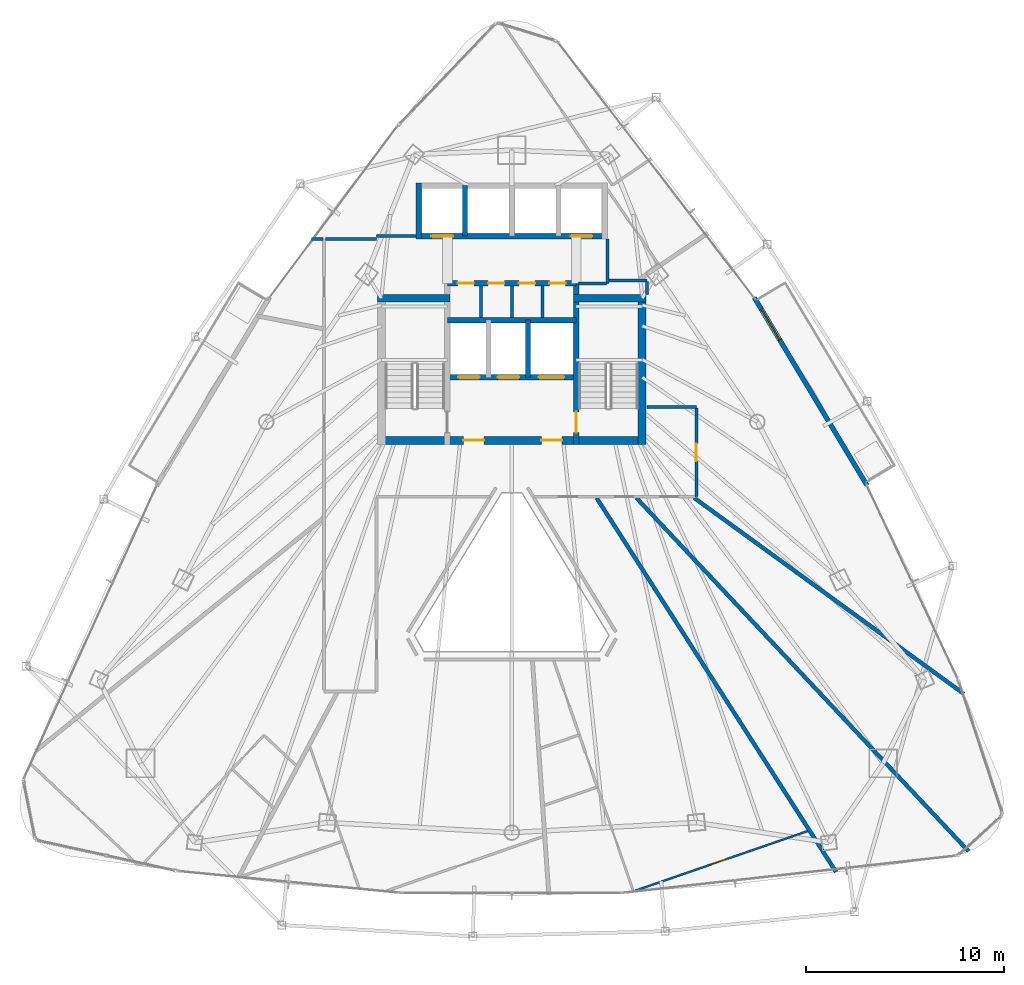
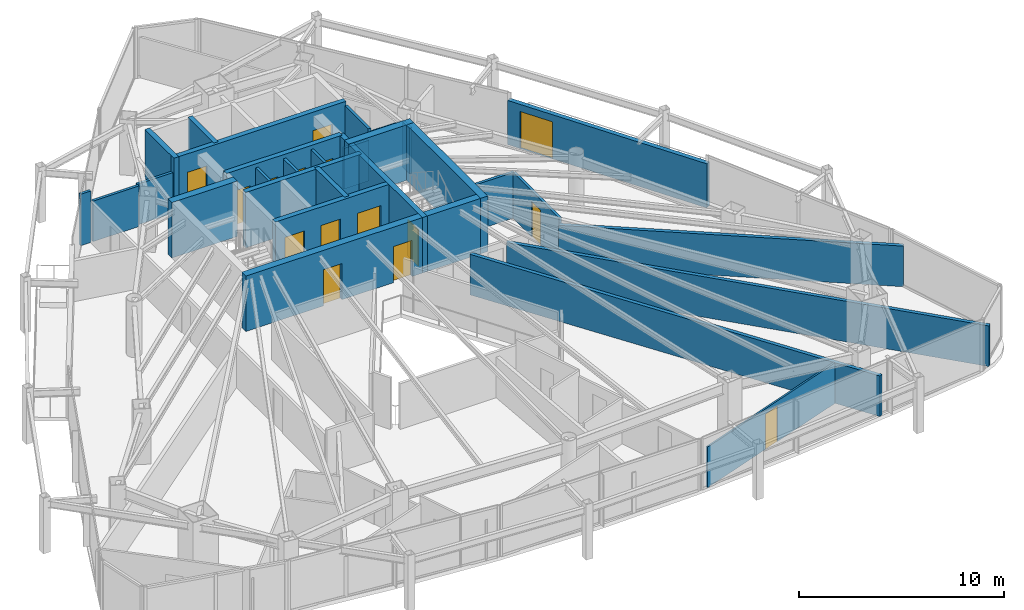
# One storey, part 25 of 29: 29 walls, 15 doors, 15 openings.
"""IFC4 building model written with IfcOpenShell, lengths in metres."""

from ifc_helpers import new_model, si_unit, direction, frame, frame_2d, origin, place, context, subcontext, project, spatial, rectangle, extrude, material, layer, layer_set, type_object, element, fill, save


model = new_model("IFC4")

# Units and contexts
model_context = context("Model", 3, precision=1e-05, world=origin(), true_north=direction((0.0, 1.0)))
body_context = subcontext(model_context, "Body", "Model", "MODEL_VIEW")
ifc_project = project(units=[si_unit("LENGTHUNIT", "METRE"), si_unit("AREAUNIT", "SQUARE_METRE"), si_unit("VOLUMEUNIT", "CUBIC_METRE"), si_unit("PLANEANGLEUNIT", "RADIAN"), si_unit("MASSUNIT", "GRAM", prefix="KILO")], contexts=[model_context])

# Site, building, storey
site_placement = place(None, origin())
site = spatial("IfcSite", under=ifc_project, at=site_placement, CompositionType="ELEMENT")
building_placement = place(site_placement, origin())
building = spatial("IfcBuilding", under=site, at=building_placement, Name="Orvanel Arch Residences", CompositionType="ELEMENT")
storey_placement = place(building_placement, frame((0.0, 0.0, 160.550048828125)))
storey = spatial("IfcBuildingStorey", under=building, at=storey_placement, Name="L45", CompositionType="ELEMENT", Elevation=160.550048828125)

# Wall, opening, door
ifc_material_1 = material(Name="Precast concrete N50 (50 MPa)", Category="concrete")
ifc_layer_1 = layer(ifc_material_1, 0.239990234375)
ifc_layer_set_1 = layer_set([ifc_layer_1], Name="Precast concrete N50 (50 MPa)")
wall_type_1 = type_object("IfcWallType", Name="EW-BAL-240", PredefinedType="SOLIDWALL", material=ifc_layer_set_1)
wall_1_placement = place(storey_placement, frame((50.987060546875, 24.4208984375, 0.0), z_axis=(0.0, 0.0, 1.0), x_axis=(-0.514334017412, 0.85758994778, 0.0)))
wall_1 = element("IfcWall", 1, at=wall_1_placement, inside=storey, type_object=wall_type_1, Name="L45 Balcony Threshold Wall Face 3", PredefinedType="SOLIDWALL", context=body_context, shape_type="SweptSolid", body=[
    extrude(rectangle(XDim=11.099853515625, YDim=0.239990234375, at=frame_2d((5.5498046875, 0.0))), origin(), (0.0, 0.0, 1.0), 2.6240234375),
])
opening_1_placement = place(wall_1_placement, frame((8.60205078125, 0.0, 0.0)))
opening_1 = element("IfcOpeningElement", 2, at=opening_1_placement, cuts=wall_1, Name="Opening DB-180", PredefinedType="OPENING", context=body_context, shape_type="SweptSolid", body=[
    extrude(rectangle(XDim=1.800048828125, YDim=2.199951171875, at=frame_2d((0.89990234375, 1.10009765625))), frame((0.0, 0.1298828125, 0.0), z_axis=(0.0, -1.0, 0.0), x_axis=(1.0, 0.0, 0.0)), (0.0, 0.0, 1.0), 0.260009765625),
])
ifc_material_2 = material(Name="Bronze-anodised aluminium AA6063-T6", Category="aluminium")
door_type_1 = type_object("IfcDoorType", Name="DR-BAL-1800", OperationType="NOTDEFINED", PredefinedType="DOOR", material=ifc_material_2)
door_1_placement = place(opening_1_placement, origin())
door_1 = element("IfcDoor", 3, at=door_1_placement, inside=storey, type_object=door_type_1, Name="DR-L45-BAL-F3 L45 Planted Balcony Access Door Face 3", OperationType="SINGLE_SWING_RIGHT", OverallHeight=2.199951171875, OverallWidth=1.800048828125, PredefinedType="DOOR", context=body_context, shape_type="SweptSolid", body=[
    extrude(rectangle(XDim=1.800048828125, YDim=2.199951171875, at=frame_2d((0.89990234375, 1.10009765625))), frame((0.0, 0.02490234375, 0.0), z_axis=(0.0, -1.0, 0.0), x_axis=(1.0, 0.0, 0.0)), (0.0, 0.0, 1.0), 0.050048828125),
])
fill(opening_1, door_1)

# Walls
ifc_material_3 = material(Name="Concrete N50 (50 MPa)", Category="concrete")
ifc_layer_2 = layer(ifc_material_3, 0.25)
ifc_layer_set_2 = layer_set([ifc_layer_2], Name="Concrete N50 (50 MPa)")
wall_type_2 = type_object("IfcWallType", Name="SW-CORE-250", PredefinedType="SHEAR", material=ifc_layer_set_2)
wall_2_placement = place(storey_placement, frame((33.824951171875, 29.889892578125, 0.0), z_axis=(0.0, 0.0, 1.0), x_axis=(0.0, 1.0, 0.0)))
element("IfcWall", 4, at=wall_2_placement, inside=storey, type_object=wall_type_2, Name="L45 Emergency Lift Inter-Shaft Wall F2G", PredefinedType="SHEAR", context=body_context, shape_type="SweptSolid", body=[
    extrude(rectangle(XDim=2.900146484375, YDim=0.25, at=frame_2d((1.4501953125, 0.0))), origin(), (0.0, 0.0, 1.0), 3.300048828125),
])
wall_3_placement = place(storey_placement, frame((30.625, 37.050048828125, 0.0), z_axis=(0.0, 0.0, 1.0), x_axis=(0.0, 1.0, 0.0)))
element("IfcWall", 5, at=wall_3_placement, inside=storey, type_object=wall_type_2, Name="L45 Passenger Lift Inter-Shaft Wall P35", PredefinedType="SHEAR", context=body_context, shape_type="SweptSolid", body=[
    extrude(rectangle(XDim=2.550048828125, YDim=0.25, at=frame_2d((1.27490234375, 0.0))), origin(), (0.0, 0.0, 1.0), 3.300048828125),
])

# Wall, opening, door
ifc_material_4 = material(Name="Concrete S65 (65 MPa)", Category="concrete")
ifc_layer_3 = layer(ifc_material_4, 0.280029296875)
ifc_layer_set_3 = layer_set([ifc_layer_3], Name="Concrete S65 (65 MPa)")
wall_type_3 = type_object("IfcWallType", Name="SW-CORE-280", PredefinedType="SHEAR", material=ifc_layer_set_3)
wall_4_placement = place(storey_placement, frame((36.260009765625, 26.5, 0.0), z_axis=(0.0, 0.0, 1.0), x_axis=(0.0, 1.0, 0.0)))
wall_4 = element("IfcWall", 6, at=wall_4_placement, inside=storey, type_object=wall_type_3, Name="L45 East Inner Core Spine Shear Wall", PredefinedType="SHEAR", context=body_context, shape_type="SweptSolid", body=[
    extrude(rectangle(XDim=8.14990234375, YDim=0.280029296875, at=frame_2d((4.074951171875, 0.0))), origin(), (0.0, 0.0, 1.0), 3.300048828125),
])
opening_2_placement = place(wall_4_placement, frame((0.60009765625, 0.0, 0.0)))
opening_2 = element("IfcOpeningElement", 7, at=opening_2_placement, cuts=wall_4, Name="Opening DF-120", PredefinedType="OPENING", context=body_context, shape_type="SweptSolid", body=[
    extrude(rectangle(XDim=1.050048828125, YDim=2.14990234375, at=frame_2d((0.52490234375, 1.074951171875))), frame((0.0, 0.14990234375, 0.0), z_axis=(0.0, -1.0, 0.0), x_axis=(1.0, 0.0, 0.0)), (0.0, 0.0, 1.0), 0.300048828125),
])
ifc_material_5 = material(Name="Galvanised steel fire-resisting door assembly", Category="steel")
door_type_2 = type_object("IfcDoorType", Name="DR-FD120-1050", OperationType="NOTDEFINED", PredefinedType="DOOR", material=ifc_material_5)
door_2_placement = place(opening_2_placement, origin())
door_2 = element("IfcDoor", 8, at=door_2_placement, inside=storey, type_object=door_type_2, Name="DR-L45-ST2 L45 Stair 2 Fire Door", OperationType="SINGLE_SWING_RIGHT", OverallHeight=2.14990234375, OverallWidth=1.050048828125, PredefinedType="DOOR", context=body_context, shape_type="SweptSolid", body=[
    extrude(rectangle(XDim=1.050048828125, YDim=2.14990234375, at=frame_2d((0.52490234375, 1.074951171875))), frame((0.0, 0.02490234375, 0.0), z_axis=(0.0, -1.0, 0.0), x_axis=(1.0, 0.0, 0.0)), (0.0, 0.0, 1.0), 0.050048828125),
])
fill(opening_2, door_2)

# Wall, openings, doors
wall_5_placement = place(storey_placement, frame((36.260009765625, 29.889892578125, 0.0), z_axis=(0.0, 0.0, 1.0), x_axis=(-1.0, 0.0, 0.0)))
wall_5 = element("IfcWall", 9, at=wall_5_placement, inside=storey, type_object=wall_type_3, Name="L45 Emergency Lift Front Core Shear Wall", PredefinedType="SHEAR", context=body_context, shape_type="SweptSolid", body=[
    extrude(rectangle(XDim=6.52001953125, YDim=0.280029296875, at=frame_2d((3.260009765625, 0.0))), origin(), (0.0, 0.0, 1.0), 3.300048828125),
])
opening_3_placement = place(wall_5_placement, frame((4.875, 0.0, 0.0)))
opening_3 = element("IfcOpeningElement", 10, at=opening_3_placement, cuts=wall_5, Name="Opening LD-110", PredefinedType="OPENING", context=body_context, shape_type="SweptSolid", body=[
    extrude(rectangle(XDim=1.10009765625, YDim=2.199951171875, at=frame_2d((0.550048828125, 1.10009765625))), frame((0.0, 0.14990234375, 0.0), z_axis=(0.0, -1.0, 0.0), x_axis=(1.0, 0.0, 0.0)), (0.0, 0.0, 1.0), 0.300048828125),
])
opening_4_placement = place(wall_5_placement, frame((2.875, 0.0, 0.0)))
opening_4 = element("IfcOpeningElement", 11, at=opening_4_placement, cuts=wall_5, Name="Opening LD-110", PredefinedType="OPENING", context=body_context, shape_type="SweptSolid", body=[
    extrude(rectangle(XDim=1.10009765625, YDim=2.199951171875, at=frame_2d((0.550048828125, 1.10009765625))), frame((0.0, 0.14990234375, 0.0), z_axis=(0.0, -1.0, 0.0), x_axis=(1.0, 0.0, 0.0)), (0.0, 0.0, 1.0), 0.300048828125),
])
opening_5_placement = place(wall_5_placement, frame((0.60009765625, 0.0, 0.0)))
opening_5 = element("IfcOpeningElement", 12, at=opening_5_placement, cuts=wall_5, Name="Opening LD-130", PredefinedType="OPENING", context=body_context, shape_type="SweptSolid", body=[
    extrude(rectangle(XDim=1.300048828125, YDim=2.199951171875, at=frame_2d((0.64990234375, 1.10009765625))), frame((0.0, 0.14990234375, 0.0), z_axis=(0.0, -1.0, 0.0), x_axis=(1.0, 0.0, 0.0)), (0.0, 0.0, 1.0), 0.300048828125),
])
door_type_3 = type_object("IfcDoorType", Name="DR-LFT-1100", OperationType="NOTDEFINED", PredefinedType="DOOR", material=ifc_material_5)
door_3_placement = place(opening_3_placement, origin())
door_3 = element("IfcDoor", 13, at=door_3_placement, inside=storey, type_object=door_type_3, Name="LD-F1-L45 L45 Lift F1 Sliding Landing Door", OperationType="DOUBLE_DOOR_SLIDING", OverallHeight=2.199951171875, OverallWidth=1.10009765625, PredefinedType="DOOR", context=body_context, shape_type="SweptSolid", body=[
    extrude(rectangle(XDim=1.10009765625, YDim=2.199951171875, at=frame_2d((0.550048828125, 1.10009765625))), frame((0.0, 0.02490234375, 0.0), z_axis=(0.0, -1.0, 0.0), x_axis=(1.0, 0.0, 0.0)), (0.0, 0.0, 1.0), 0.050048828125),
])
fill(opening_3, door_3)
door_4_placement = place(opening_4_placement, origin())
door_4 = element("IfcDoor", 14, at=door_4_placement, inside=storey, type_object=door_type_3, Name="LD-F2-L45 L45 Lift F2 Sliding Landing Door", OperationType="DOUBLE_DOOR_SLIDING", OverallHeight=2.199951171875, OverallWidth=1.10009765625, PredefinedType="DOOR", context=body_context, shape_type="SweptSolid", body=[
    extrude(rectangle(XDim=1.10009765625, YDim=2.199951171875, at=frame_2d((0.550048828125, 1.10009765625))), frame((0.0, 0.02490234375, 0.0), z_axis=(0.0, -1.0, 0.0), x_axis=(1.0, 0.0, 0.0)), (0.0, 0.0, 1.0), 0.050048828125),
])
fill(opening_4, door_4)
door_type_4 = type_object("IfcDoorType", Name="DR-LFT-1300", OperationType="NOTDEFINED", PredefinedType="DOOR", material=ifc_material_5)
door_5_placement = place(opening_5_placement, origin())
door_5 = element("IfcDoor", 15, at=door_5_placement, inside=storey, type_object=door_type_4, Name="LD-G1-L45 L45 Lift G1 Sliding Landing Door", OperationType="DOUBLE_DOOR_SLIDING", OverallHeight=2.199951171875, OverallWidth=1.300048828125, PredefinedType="DOOR", context=body_context, shape_type="SweptSolid", body=[
    extrude(rectangle(XDim=1.300048828125, YDim=2.199951171875, at=frame_2d((0.64990234375, 1.10009765625))), frame((0.0, 0.02490234375, 0.0), z_axis=(0.0, -1.0, 0.0), x_axis=(1.0, 0.0, 0.0)), (0.0, 0.0, 1.0), 0.050048828125),
])
fill(opening_5, door_5)

# Wall
wall_6_placement = place(storey_placement, frame((29.739990234375, 32.7900390625, 0.0), z_axis=(0.0, 0.0, 1.0), x_axis=(1.0, 0.0, 0.0)))
element("IfcWall", 16, at=wall_6_placement, inside=storey, type_object=wall_type_3, Name="L45 Emergency Lift Back Core Shear Wall", PredefinedType="SHEAR", context=body_context, shape_type="SweptSolid", body=[
    extrude(rectangle(XDim=6.52001953125, YDim=0.280029296875, at=frame_2d((3.260009765625, 0.0))), origin(), (0.0, 0.0, 1.0), 3.300048828125),
])

# Wall, openings, doors
wall_7_placement = place(storey_placement, frame((29.739990234375, 34.64990234375, 0.0), z_axis=(0.0, 0.0, 1.0), x_axis=(1.0, 0.0, 0.0)))
wall_7 = element("IfcWall", 17, at=wall_7_placement, inside=storey, type_object=wall_type_3, Name="L45 Core Service Band North Shear Wall", PredefinedType="SHEAR", context=body_context, shape_type="SweptSolid", body=[
    extrude(rectangle(XDim=6.52001953125, YDim=0.280029296875, at=frame_2d((3.260009765625, 0.0))), origin(), (0.0, 0.0, 1.0), 3.300048828125),
])
opening_6_placement = place(wall_7_placement, frame((0.514892578125, 0.0, 0.0)))
opening_6 = element("IfcOpeningElement", 18, at=opening_6_placement, cuts=wall_7, Name="Opening DS-082", PredefinedType="OPENING", context=body_context, shape_type="SweptSolid", body=[
    extrude(rectangle(XDim=0.820068359375, YDim=2.10009765625, at=frame_2d((0.41015625, 1.050048828125))), frame((0.0, 0.14990234375, 0.0), z_axis=(0.0, -1.0, 0.0), x_axis=(1.0, 0.0, 0.0)), (0.0, 0.0, 1.0), 0.300048828125),
])
opening_7_placement = place(wall_7_placement, frame((2.06494140625, 0.0, 0.0)))
opening_7 = element("IfcOpeningElement", 19, at=opening_7_placement, cuts=wall_7, Name="Opening DS-082", PredefinedType="OPENING", context=body_context, shape_type="SweptSolid", body=[
    extrude(rectangle(XDim=0.820068359375, YDim=2.10009765625, at=frame_2d((0.41015625, 1.050048828125))), frame((0.0, 0.14990234375, 0.0), z_axis=(0.0, -1.0, 0.0), x_axis=(1.0, 0.0, 0.0)), (0.0, 0.0, 1.0), 0.300048828125),
])
opening_8_placement = place(wall_7_placement, frame((3.614990234375, 0.0, 0.0)))
opening_8 = element("IfcOpeningElement", 20, at=opening_8_placement, cuts=wall_7, Name="Opening DS-082", PredefinedType="OPENING", context=body_context, shape_type="SweptSolid", body=[
    extrude(rectangle(XDim=0.820068359375, YDim=2.10009765625, at=frame_2d((0.41015625, 1.050048828125))), frame((0.0, 0.14990234375, 0.0), z_axis=(0.0, -1.0, 0.0), x_axis=(1.0, 0.0, 0.0)), (0.0, 0.0, 1.0), 0.300048828125),
])
opening_9_placement = place(wall_7_placement, frame((5.1650390625, 0.0, 0.0)))
opening_9 = element("IfcOpeningElement", 21, at=opening_9_placement, cuts=wall_7, Name="Opening DS-082", PredefinedType="OPENING", context=body_context, shape_type="SweptSolid", body=[
    extrude(rectangle(XDim=0.820068359375, YDim=2.10009765625, at=frame_2d((0.41015625, 1.050048828125))), frame((0.0, 0.14990234375, 0.0), z_axis=(0.0, -1.0, 0.0), x_axis=(1.0, 0.0, 0.0)), (0.0, 0.0, 1.0), 0.300048828125),
])
door_type_5 = type_object("IfcDoorType", Name="DR-SVC-820", OperationType="NOTDEFINED", PredefinedType="DOOR", material=ifc_material_5)
door_6_placement = place(opening_6_placement, origin())
door_6 = element("IfcDoor", 22, at=door_6_placement, inside=storey, type_object=door_type_5, Name="DR-L45-CSVC-1 L45 Linen Store Door", OperationType="SINGLE_SWING_LEFT", OverallHeight=2.10009765625, OverallWidth=0.820068359375, PredefinedType="DOOR", context=body_context, shape_type="SweptSolid", body=[
    extrude(rectangle(XDim=0.820068359375, YDim=2.10009765625, at=frame_2d((0.41015625, 1.050048828125))), frame((0.0, 0.02490234375, 0.0), z_axis=(0.0, -1.0, 0.0), x_axis=(1.0, 0.0, 0.0)), (0.0, 0.0, 1.0), 0.050048828125),
])
fill(opening_6, door_6)
door_7_placement = place(opening_7_placement, origin())
door_7 = element("IfcDoor", 23, at=door_7_placement, inside=storey, type_object=door_type_5, Name="DR-L45-CSVC-2 L45 Cleaner's Store Door", OperationType="SINGLE_SWING_LEFT", OverallHeight=2.10009765625, OverallWidth=0.820068359375, PredefinedType="DOOR", context=body_context, shape_type="SweptSolid", body=[
    extrude(rectangle(XDim=0.820068359375, YDim=2.10009765625, at=frame_2d((0.41015625, 1.050048828125))), frame((0.0, 0.02490234375, 0.0), z_axis=(0.0, -1.0, 0.0), x_axis=(1.0, 0.0, 0.0)), (0.0, 0.0, 1.0), 0.050048828125),
])
fill(opening_7, door_7)
door_8_placement = place(opening_8_placement, origin())
door_8 = element("IfcDoor", 24, at=door_8_placement, inside=storey, type_object=door_type_5, Name="DR-L45-CSVC-3 L45 Electrical Meter Store Door", OperationType="SINGLE_SWING_LEFT", OverallHeight=2.10009765625, OverallWidth=0.820068359375, PredefinedType="DOOR", context=body_context, shape_type="SweptSolid", body=[
    extrude(rectangle(XDim=0.820068359375, YDim=2.10009765625, at=frame_2d((0.41015625, 1.050048828125))), frame((0.0, 0.02490234375, 0.0), z_axis=(0.0, -1.0, 0.0), x_axis=(1.0, 0.0, 0.0)), (0.0, 0.0, 1.0), 0.050048828125),
])
fill(opening_8, door_8)
door_9_placement = place(opening_9_placement, origin())
door_9 = element("IfcDoor", 25, at=door_9_placement, inside=storey, type_object=door_type_5, Name="DR-L45-CSVC-4 L45 Housekeeping Supply Store Door", OperationType="SINGLE_SWING_LEFT", OverallHeight=2.10009765625, OverallWidth=0.820068359375, PredefinedType="DOOR", context=body_context, shape_type="SweptSolid", body=[
    extrude(rectangle(XDim=0.820068359375, YDim=2.10009765625, at=frame_2d((0.41015625, 1.050048828125))), frame((0.0, 0.02490234375, 0.0), z_axis=(0.0, -1.0, 0.0), x_axis=(1.0, 0.0, 0.0)), (0.0, 0.0, 1.0), 0.050048828125),
])
fill(opening_9, door_9)

wall_8_placement = place(storey_placement, frame((37.840087890625, 37.050048828125, 0.0), z_axis=(0.0, 0.0, 1.0), x_axis=(-1.0, 0.0, 0.0)))
wall_8 = element("IfcWall", 26, at=wall_8_placement, inside=storey, type_object=wall_type_3, Name="L45 Passenger Lift Bank Front Shear Wall", PredefinedType="SHEAR", context=body_context, shape_type="SweptSolid", body=[
    extrude(rectangle(XDim=9.68017578125, YDim=0.280029296875, at=frame_2d((4.840087890625, 0.0))), origin(), (0.0, 0.0, 1.0), 3.300048828125),
])
opening_10_placement = place(wall_8_placement, frame((7.81494140625, 0.0, 0.0)))
opening_10 = element("IfcOpeningElement", 27, at=opening_10_placement, cuts=wall_8, Name="Opening LD-110", PredefinedType="OPENING", context=body_context, shape_type="SweptSolid", body=[
    extrude(rectangle(XDim=1.10009765625, YDim=2.199951171875, at=frame_2d((0.550048828125, 1.10009765625))), frame((0.0, 0.14990234375, 0.0), z_axis=(0.0, -1.0, 0.0), x_axis=(1.0, 0.0, 0.0)), (0.0, 0.0, 1.0), 0.300048828125),
])
opening_11_placement = place(wall_8_placement, frame((0.764892578125, 0.0, 0.0)))
opening_11 = element("IfcOpeningElement", 28, at=opening_11_placement, cuts=wall_8, Name="Opening LD-110", PredefinedType="OPENING", context=body_context, shape_type="SweptSolid", body=[
    extrude(rectangle(XDim=1.10009765625, YDim=2.199951171875, at=frame_2d((0.550048828125, 1.10009765625))), frame((0.0, 0.14990234375, 0.0), z_axis=(0.0, -1.0, 0.0), x_axis=(1.0, 0.0, 0.0)), (0.0, 0.0, 1.0), 0.300048828125),
])
door_10_placement = place(opening_10_placement, origin())
door_10 = element("IfcDoor", 29, at=door_10_placement, inside=storey, type_object=door_type_3, Name="LD-P3-L45 L45 Passenger Lift P3 Sliding Landing Door", OperationType="DOUBLE_DOOR_SLIDING", OverallHeight=2.199951171875, OverallWidth=1.10009765625, PredefinedType="DOOR", context=body_context, shape_type="SweptSolid", body=[
    extrude(rectangle(XDim=1.10009765625, YDim=2.199951171875, at=frame_2d((0.550048828125, 1.10009765625))), frame((0.0, 0.02490234375, 0.0), z_axis=(0.0, -1.0, 0.0), x_axis=(1.0, 0.0, 0.0)), (0.0, 0.0, 1.0), 0.050048828125),
])
fill(opening_10, door_10)
door_11_placement = place(opening_11_placement, origin())
door_11 = element("IfcDoor", 30, at=door_11_placement, inside=storey, type_object=door_type_3, Name="LD-P4-L45 L45 Passenger Lift P4 Sliding Landing Door", OperationType="DOUBLE_DOOR_SLIDING", OverallHeight=2.199951171875, OverallWidth=1.10009765625, PredefinedType="DOOR", context=body_context, shape_type="SweptSolid", body=[
    extrude(rectangle(XDim=1.10009765625, YDim=2.199951171875, at=frame_2d((0.550048828125, 1.10009765625))), frame((0.0, 0.02490234375, 0.0), z_axis=(0.0, -1.0, 0.0), x_axis=(1.0, 0.0, 0.0)), (0.0, 0.0, 1.0), 0.050048828125),
])
fill(opening_11, door_11)

# Wall
wall_9_placement = place(storey_placement, frame((28.300048828125, 36.909912109375, 0.0), z_axis=(0.0, 0.0, 1.0), x_axis=(0.0, 1.0, 0.0)))
element("IfcWall", 31, at=wall_9_placement, inside=storey, type_object=wall_type_3, Name="L45 Passenger Lift Bank West Shear Wall", PredefinedType="SHEAR", context=body_context, shape_type="SweptSolid", body=[
    extrude(rectangle(XDim=2.830078125, YDim=0.280029296875, at=frame_2d((1.4150390625, 0.0))), origin(), (0.0, 0.0, 1.0), 3.300048828125),
])

# Wall, openings, doors
ifc_layer_4 = layer(ifc_material_4, 0.39990234375)
ifc_layer_set_4 = layer_set([ifc_layer_4], Name="Concrete S65 (65 MPa)")
wall_type_4 = type_object("IfcWallType", Name="SW-CORE-400", PredefinedType="SHEAR", material=ifc_layer_set_4)
wall_10_placement = place(storey_placement, frame((26.199951171875, 26.699951171875, 0.0), z_axis=(0.0, 0.0, 1.0), x_axis=(1.0, 0.0, 0.0)))
wall_10 = element("IfcWall", 32, at=wall_10_placement, inside=storey, type_object=wall_type_4, Name="L45 South Core Shear Wall", PredefinedType="SHEAR", context=body_context, shape_type="SweptSolid", body=[
    extrude(rectangle(XDim=13.60009765625, YDim=0.39990234375, at=frame_2d((6.800048828125, 0.0))), origin(), (0.0, 0.0, 1.0), 3.300048828125),
])
opening_12_placement = place(wall_10_placement, frame((4.35009765625, 0.0, 0.0)))
opening_12 = element("IfcOpeningElement", 33, at=opening_12_placement, cuts=wall_10, Name="Opening DF-060", PredefinedType="OPENING", context=body_context, shape_type="SweptSolid", body=[
    extrude(rectangle(XDim=1.050048828125, YDim=2.14990234375, at=frame_2d((0.52490234375, 1.074951171875))), frame((0.0, 0.2099609375, 0.0), z_axis=(0.0, -1.0, 0.0), x_axis=(1.0, 0.0, 0.0)), (0.0, 0.0, 1.0), 0.419921875),
])
opening_13_placement = place(wall_10_placement, frame((8.300048828125, 0.0, 0.0)))
opening_13 = element("IfcOpeningElement", 34, at=opening_13_placement, cuts=wall_10, Name="Opening DF-060", PredefinedType="OPENING", context=body_context, shape_type="SweptSolid", body=[
    extrude(rectangle(XDim=1.050048828125, YDim=2.14990234375, at=frame_2d((0.52490234375, 1.074951171875))), frame((0.0, 0.2099609375, 0.0), z_axis=(0.0, -1.0, 0.0), x_axis=(1.0, 0.0, 0.0)), (0.0, 0.0, 1.0), 0.419921875),
])
door_type_6 = type_object("IfcDoorType", Name="DR-FD60-1050", OperationType="NOTDEFINED", PredefinedType="DOOR", material=ifc_material_5)
door_12_placement = place(opening_12_placement, origin())
door_12 = element("IfcDoor", 35, at=door_12_placement, inside=storey, type_object=door_type_6, Name="DR-L45-FFL-W L45 West Smoke Lobby Door", OperationType="SINGLE_SWING_LEFT", OverallHeight=2.14990234375, OverallWidth=1.050048828125, PredefinedType="DOOR", context=body_context, shape_type="SweptSolid", body=[
    extrude(rectangle(XDim=1.050048828125, YDim=2.14990234375, at=frame_2d((0.52490234375, 1.074951171875))), frame((0.0, 0.02490234375, 0.0), z_axis=(0.0, -1.0, 0.0), x_axis=(1.0, 0.0, 0.0)), (0.0, 0.0, 1.0), 0.050048828125),
])
fill(opening_12, door_12)
door_13_placement = place(opening_13_placement, origin())
door_13 = element("IfcDoor", 36, at=door_13_placement, inside=storey, type_object=door_type_6, Name="DR-L45-FFL-E L45 East Smoke Lobby Door", OperationType="SINGLE_SWING_RIGHT", OverallHeight=2.14990234375, OverallWidth=1.050048828125, PredefinedType="DOOR", context=body_context, shape_type="SweptSolid", body=[
    extrude(rectangle(XDim=1.050048828125, YDim=2.14990234375, at=frame_2d((0.52490234375, 1.074951171875))), frame((0.0, 0.02490234375, 0.0), z_axis=(0.0, -1.0, 0.0), x_axis=(1.0, 0.0, 0.0)), (0.0, 0.0, 1.0), 0.050048828125),
])
fill(opening_13, door_13)

# Walls
wall_11_placement = place(storey_placement, frame((26.199951171875, 33.89990234375, 0.0), z_axis=(0.0, 0.0, 1.0), x_axis=(1.0, 0.0, 0.0)))
element("IfcWall", 37, at=wall_11_placement, inside=storey, type_object=wall_type_4, Name="L45 West Stair North Shear Wall", PredefinedType="SHEAR", context=body_context, shape_type="SweptSolid", body=[
    extrude(rectangle(XDim=3.679931640625, YDim=0.39990234375, at=frame_2d((1.83984375, 0.0))), origin(), (0.0, 0.0, 1.0), 3.300048828125),
])
wall_12_placement = place(storey_placement, frame((39.60009765625, 26.5, 0.0), z_axis=(0.0, 0.0, 1.0), x_axis=(0.0, 1.0, 0.0)))
element("IfcWall", 38, at=wall_12_placement, inside=storey, type_object=wall_type_4, Name="L45 East Stair Shear Wall", PredefinedType="SHEAR", context=body_context, shape_type="SweptSolid", body=[
    extrude(rectangle(XDim=7.60009765625, YDim=0.39990234375, at=frame_2d((3.800048828125, 0.0))), origin(), (0.0, 0.0, 1.0), 3.300048828125),
])
wall_13_placement = place(storey_placement, frame((36.1201171875, 33.89990234375, 0.0), z_axis=(0.0, 0.0, 1.0), x_axis=(1.0, 0.0, 0.0)))
element("IfcWall", 39, at=wall_13_placement, inside=storey, type_object=wall_type_4, Name="L45 East Stair North Shear Wall", PredefinedType="SHEAR", context=body_context, shape_type="SweptSolid", body=[
    extrude(rectangle(XDim=3.679931640625, YDim=0.39990234375, at=frame_2d((1.83984375, 0.0))), origin(), (0.0, 0.0, 1.0), 3.300048828125),
])
ifc_material_6 = material(Name="Fire-rated plasterboard lined steel stud partition", Category="steel")
ifc_layer_5 = layer(ifc_material_6, 0.14990234375)
ifc_layer_set_5 = layer_set([ifc_layer_5], Name="Fire-rated plasterboard lined steel stud partition")
wall_type_5 = type_object("IfcWallType", Name="W-COR-150", PredefinedType="PARTITIONING", material=ifc_layer_set_5)
wall_14_placement = place(storey_placement, frame((37.85009765625, 34.64990234375, 0.0), z_axis=(0.0, 0.0, 1.0), x_axis=(0.0, 1.0, 0.0)))
element("IfcWall", 40, at=wall_14_placement, inside=storey, type_object=wall_type_5, Name="L45 Passenger Lift Lobby East Closure Wall", PredefinedType="PARTITIONING", context=body_context, shape_type="SweptSolid", body=[
    extrude(rectangle(XDim=2.260009765625, YDim=0.14990234375, at=frame_2d((1.1298828125, 0.0))), origin(), (0.0, 0.0, 1.0), 3.06005859375),
])
wall_15_placement = place(storey_placement, frame((36.385009765625, 34.64990234375, 0.0), z_axis=(0.0, 0.0, 1.0), x_axis=(1.0, 0.0, 0.0)))
element("IfcWall", 41, at=wall_15_placement, inside=storey, type_object=wall_type_5, Name="L45 Passenger Lift Lobby South-East Wall", PredefinedType="PARTITIONING", context=body_context, shape_type="SweptSolid", body=[
    extrude(rectangle(XDim=1.405029296875, YDim=0.14990234375, at=frame_2d((0.70263671875, 0.0))), origin(), (0.0, 0.0, 1.0), 2.425048828125),
])
wall_16_placement = place(storey_placement, frame((22.864990234375, 36.89990234375, 0.0), z_axis=(0.0, 0.0, 1.0), x_axis=(1.0, 0.0, 0.0)))
element("IfcWall", 42, at=wall_16_placement, inside=storey, type_object=wall_type_5, Name="L45 Corridor Fire-Rated Partition", PredefinedType="PARTITIONING", context=body_context, shape_type="SweptSolid", body=[
    extrude(rectangle(XDim=0.574951171875, YDim=0.14990234375, at=frame_2d((0.28759765625, 0.0))), origin(), (0.0, 0.0, 1.0), 3.06005859375),
])
wall_17_placement = place(storey_placement, frame((23.56005859375, 36.89990234375, 0.0), z_axis=(0.0, 0.0, 1.0), x_axis=(1.0, 0.0, 0.0)))
element("IfcWall", 43, at=wall_17_placement, inside=storey, type_object=wall_type_5, Name="L45 Corridor Fire-Rated Partition", PredefinedType="PARTITIONING", context=body_context, shape_type="SweptSolid", body=[
    extrude(rectangle(XDim=2.58984375, YDim=0.14990234375, at=frame_2d((1.294921875, 0.0))), origin(), (0.0, 0.0, 1.0), 2.412841796875),
])
wall_18_placement = place(storey_placement, frame((39.85009765625, 28.39990234375, 0.0), z_axis=(0.0, 0.0, 1.0), x_axis=(1.0, 0.0, 0.0)))
element("IfcWall", 44, at=wall_18_placement, inside=storey, type_object=wall_type_5, Name="L45 Corridor Fire-Rated Partition", PredefinedType="PARTITIONING", context=body_context, shape_type="SweptSolid", body=[
    extrude(rectangle(XDim=2.5, YDim=0.14990234375, at=frame_2d((1.25, 0.0))), origin(), (0.0, 0.0, 1.0), 2.720947265625),
])

# Wall, opening, door
wall_19_placement = place(storey_placement, frame((42.35009765625, 28.340087890625, 0.0), z_axis=(0.0, 0.0, 1.0), x_axis=(0.0, -1.0, 0.0)))
wall_19 = element("IfcWall", 45, at=wall_19_placement, inside=storey, type_object=wall_type_5, Name="L45 Corridor Fire-Rated Partition", PredefinedType="PARTITIONING", context=body_context, shape_type="SweptSolid", body=[
    extrude(rectangle(XDim=4.489990234375, YDim=0.14990234375, at=frame_2d((2.2451171875, 0.0))), origin(), (0.0, 0.0, 1.0), 2.720947265625),
])
opening_14_placement = place(wall_19_placement, frame((1.804931640625, 0.0, 0.0)))
opening_14 = element("IfcOpeningElement", 46, at=opening_14_placement, cuts=wall_19, Name="Opening DI-088", PredefinedType="OPENING", context=body_context, shape_type="SweptSolid", body=[
    extrude(rectangle(XDim=0.8798828125, YDim=2.10009765625, at=frame_2d((0.43994140625, 1.050048828125))), frame((0.0, 0.0849609375, 0.0), z_axis=(0.0, -1.0, 0.0), x_axis=(1.0, 0.0, 0.0)), (0.0, 0.0, 1.0), 0.169921875),
])
ifc_material_7 = material(Name="Solid-core European oak veneer fire door leaf", Category="wood")
door_type_7 = type_object("IfcDoorType", Name="DR-INT-880", OperationType="NOTDEFINED", PredefinedType="DOOR", material=ifc_material_7)
door_14_placement = place(opening_14_placement, origin())
door_14 = element("IfcDoor", 47, at=door_14_placement, inside=storey, type_object=door_type_7, Name="DR-L45-SHRD-FB4 L45 Co-Working Study Office D Door", OperationType="SINGLE_SWING_LEFT", OverallHeight=2.10009765625, OverallWidth=0.8798828125, PredefinedType="DOOR", context=body_context, shape_type="SweptSolid", body=[
    extrude(rectangle(XDim=0.8798828125, YDim=2.10009765625, at=frame_2d((0.43994140625, 1.050048828125))), frame((0.0, 0.02490234375, 0.0), z_axis=(0.0, -1.0, 0.0), x_axis=(1.0, 0.0, 0.0)), (0.0, 0.0, 1.0), 0.050048828125),
])
fill(opening_14, door_14)

# Walls
wall_20_placement = place(storey_placement, frame((26.14990234375, 37.050048828125, 0.0), z_axis=(0.0, 0.0, 1.0), x_axis=(1.0, 0.0, 0.0)))
element("IfcWall", 48, at=wall_20_placement, inside=storey, type_object=wall_type_5, Name="L45 Core Perimeter Partition", PredefinedType="PARTITIONING", context=body_context, shape_type="SweptSolid", body=[
    extrude(rectangle(XDim=2.0, YDim=0.14990234375, at=frame_2d((1.0, 0.0))), origin(), (0.0, 0.0, 1.0), 2.412841796875),
])
wall_21_placement = place(storey_placement, frame((37.909912109375, 34.800048828125, 0.0), z_axis=(0.0, 0.0, 1.0), x_axis=(1.0, 0.0, 0.0)))
element("IfcWall", 49, at=wall_21_placement, inside=storey, type_object=wall_type_5, Name="L45 Core Perimeter Partition", PredefinedType="PARTITIONING", context=body_context, shape_type="SweptSolid", body=[
    extrude(rectangle(XDim=1.940185546875, YDim=0.14990234375, at=frame_2d((0.97021484375, 0.0))), origin(), (0.0, 0.0, 1.0), 2.720947265625),
])
wall_22_placement = place(storey_placement, frame((39.85009765625, 34.739990234375, 0.0), z_axis=(0.0, 0.0, 1.0), x_axis=(0.0, -1.0, 0.0)))
element("IfcWall", 50, at=wall_22_placement, inside=storey, type_object=wall_type_5, Name="L45 Core Perimeter Partition", PredefinedType="PARTITIONING", context=body_context, shape_type="SweptSolid", body=[
    extrude(rectangle(XDim=0.639892578125, YDim=0.14990234375, at=frame_2d((0.31982421875, 0.0))), origin(), (0.0, 0.0, 1.0), 2.720947265625),
])
ifc_layer_6 = layer(ifc_material_6, 0.199951171875)
ifc_layer_set_6 = layer_set([ifc_layer_6], Name="Fire-rated plasterboard lined steel stud partition")
wall_type_6 = type_object("IfcWallType", Name="W-DEM-200", PredefinedType="PARTITIONING", material=ifc_layer_set_6)
wall_23_placement = place(storey_placement, frame((37.294921875, 23.7900390625, 0.0), z_axis=(0.0, 0.0, 1.0), x_axis=(0.539100523601, -0.842241429433, 0.0)))
element("IfcWall", 51, at=wall_23_placement, inside=storey, type_object=wall_type_6, Name="L45 Inter-Tenancy Acoustic Demising Wall", PredefinedType="PARTITIONING", context=body_context, shape_type="SweptSolid", body=[
    extrude(rectangle(XDim=22.487548828125, YDim=0.199951171875, at=frame_2d((11.24365234375, 0.0))), origin(), (0.0, 0.0, 1.0), 2.412841796875),
])
wall_24_placement = place(storey_placement, frame((55.89599609375, 13.864990234375, 0.0), z_axis=(0.0, 0.0, 1.0), x_axis=(-0.809001736781, 0.587806251995, 0.0)))
element("IfcWall", 52, at=wall_24_placement, inside=storey, type_object=wall_type_6, Name="L45 Inter-Tenancy Acoustic Demising Wall", PredefinedType="PARTITIONING", context=body_context, shape_type="SweptSolid", body=[
    extrude(rectangle(XDim=16.885009765625, YDim=0.199951171875, at=frame_2d((8.4423828125, 0.0))), origin(), (0.0, 0.0, 1.0), 2.412841796875),
])
wall_25_placement = place(storey_placement, frame((56.1220703125, 5.904052734375, 0.0), z_axis=(0.0, 0.0, 1.0), x_axis=(-0.684934612975, 0.728604540165, 0.0)))
element("IfcWall", 53, at=wall_25_placement, inside=storey, type_object=wall_type_6, Name="L45 Inter-Tenancy Acoustic Demising Wall", PredefinedType="PARTITIONING", context=body_context, shape_type="SweptSolid", body=[
    extrude(rectangle(XDim=24.54833984375, YDim=0.199951171875, at=frame_2d((12.274169921875, 0.0))), origin(), (0.0, 0.0, 1.0), 2.412841796875),
])

# Wall, opening, door
ifc_material_8 = material(Name="Acoustic plasterboard lined twin-stud partition", Category="gypsum")
ifc_layer_7 = layer(ifc_material_8, 0.10009765625)
ifc_layer_set_7 = layer_set([ifc_layer_7], Name="Acoustic plasterboard lined twin-stud partition")
wall_type_7 = type_object("IfcWallType", Name="W-INT-100", PredefinedType="PARTITIONING", material=ifc_layer_set_7)
wall_26_placement = place(storey_placement, frame((47.988037109375, 6.926025390625, 0.0), z_axis=(0.0, 0.0, 1.0), x_axis=(-0.945100175753, -0.326780748809, 0.0)))
wall_26 = element("IfcWall", 54, at=wall_26_placement, inside=storey, type_object=wall_type_7, Name="L45 Flat A Internal Partition", PredefinedType="PARTITIONING", context=body_context, shape_type="SweptSolid", body=[
    extrude(rectangle(XDim=9.48388671875, YDim=0.10009765625, at=frame_2d((4.741943359375, 0.0))), origin(), (0.0, 0.0, 1.0), 2.412841796875),
])
opening_15_placement = place(wall_26_placement, frame((4.302001953125, 0.0, 0.0)))
opening_15 = element("IfcOpeningElement", 55, at=opening_15_placement, cuts=wall_26, Name="Opening DI-088", PredefinedType="OPENING", context=body_context, shape_type="SweptSolid", body=[
    extrude(rectangle(XDim=0.8798828125, YDim=2.10009765625, at=frame_2d((0.43994140625, 1.050048828125))), frame((0.0, 0.06005859375, 0.0), z_axis=(0.0, -1.0, 0.0), x_axis=(1.0, 0.0, 0.0)), (0.0, 0.0, 1.0), 0.1201171875),
])
door_15_placement = place(opening_15_placement, origin())
door_15 = element("IfcDoor", 56, at=door_15_placement, inside=storey, type_object=door_type_7, Name="DR-L45-A-CAR2 L45 Flat A Allied Health Consulting Room 1 Door", OperationType="SINGLE_SWING_LEFT", OverallHeight=2.10009765625, OverallWidth=0.8798828125, PredefinedType="DOOR", context=body_context, shape_type="SweptSolid", body=[
    extrude(rectangle(XDim=0.8798828125, YDim=2.10009765625, at=frame_2d((0.43994140625, 1.050048828125))), frame((0.0, 0.02490234375, 0.0), z_axis=(0.0, -1.0, 0.0), x_axis=(1.0, 0.0, 0.0)), (0.0, 0.0, 1.0), 0.050048828125),
])
fill(opening_15, door_15)

# Walls
ifc_layer_8 = layer(ifc_material_6, 0.14990234375)
ifc_layer_set_8 = layer_set([ifc_layer_8], Name="Fire-rated plasterboard lined steel stud partition")
wall_type_8 = type_object("IfcWallType", Name="W-ST-150", PredefinedType="PARTITIONING", material=ifc_layer_set_8)
for number, where, z_axis, x_axis, name in (
    (57, (31.449951171875, 32.9150390625, 0.0), (0.0, 0.0, 1.0), (0.0, 1.0, 0.0), "L45 Core Service Partition 1"),
    (58, (33.0, 32.9150390625, 0.0), (0.0, 0.0, 1.0), (0.0, 1.0, 0.0), "L45 Core Service Partition 2"),
    (59, (34.550048828125, 32.9150390625, 0.0), (0.0, 0.0, 1.0), (0.0, 1.0, 0.0), "L45 Core Service Partition 3"),
):
    element("IfcWall", number, at=place(storey_placement, frame(where, z_axis=z_axis, x_axis=x_axis)), inside=storey, type_object=wall_type_8, Name=name, PredefinedType="PARTITIONING", context=body_context, shape_type="SweptSolid", body=[
        extrude(rectangle(XDim=1.60986328125, YDim=0.14990234375, at=frame_2d((0.804931640625, 0.0))), origin(), (0.0, 0.0, 1.0), 3.06005859375),
    ])

save(model, "model.ifc")
